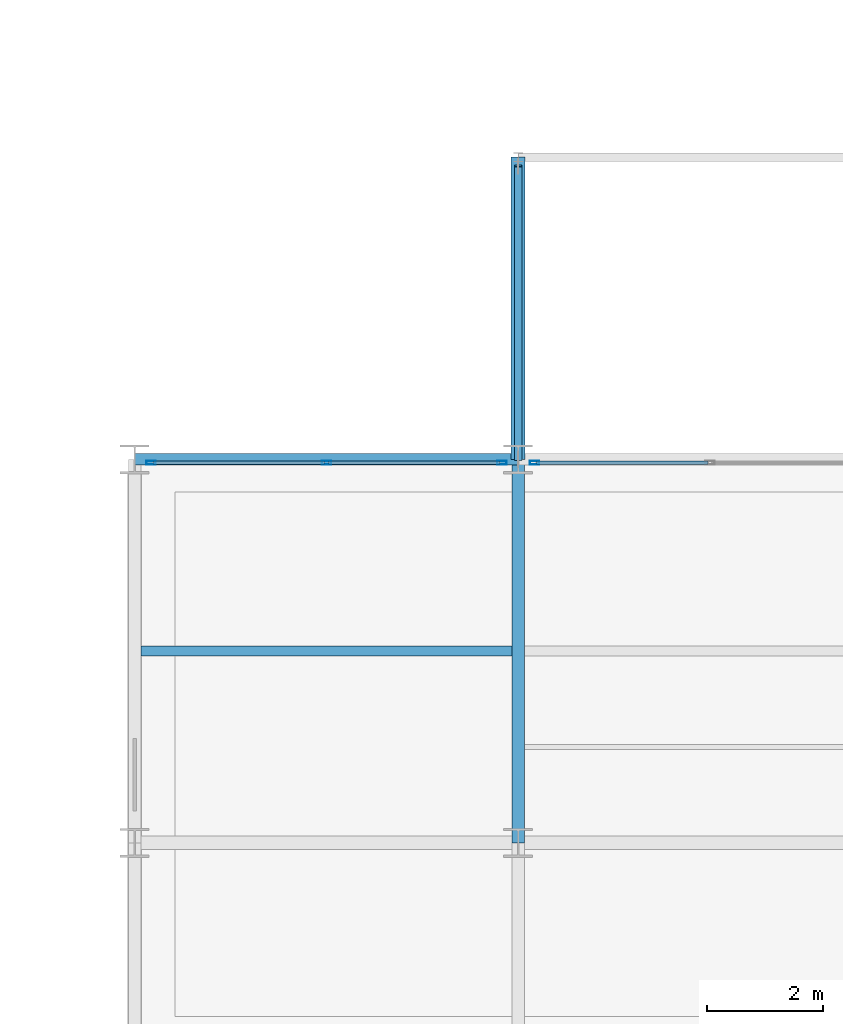
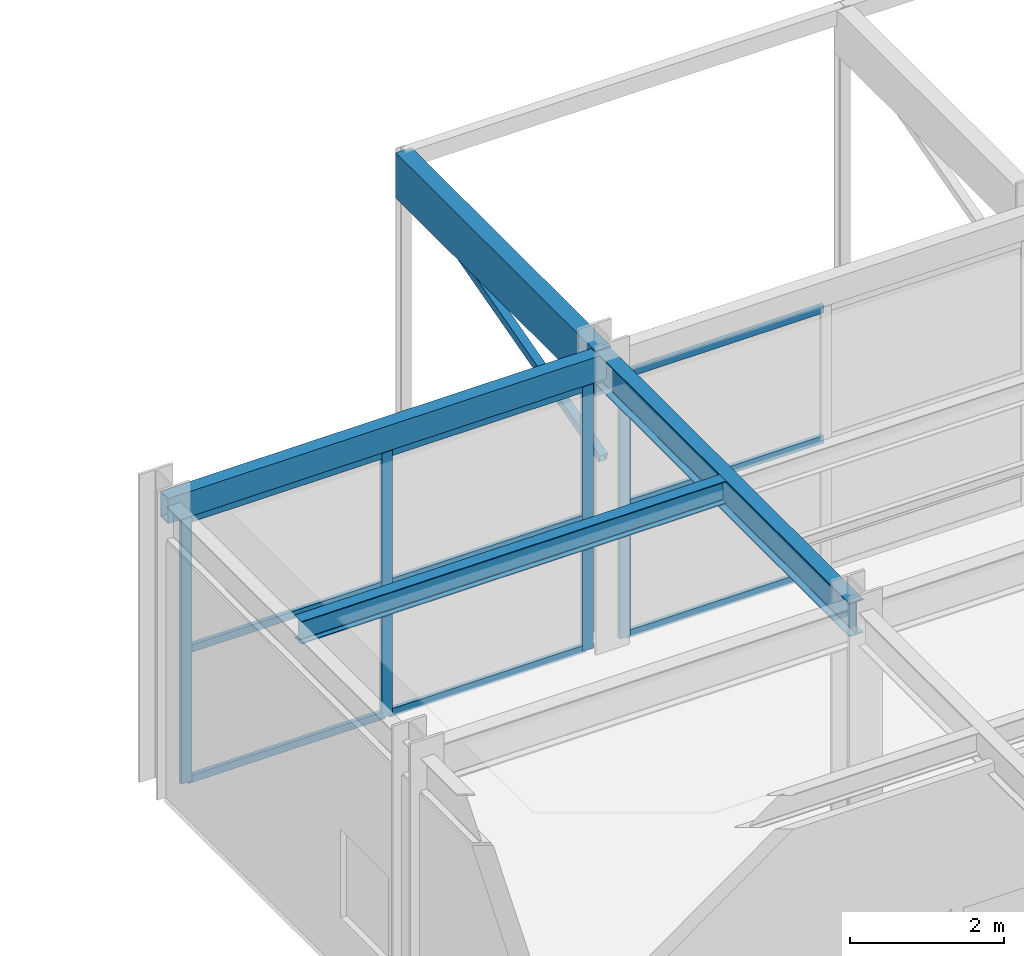
# One storey, part 57 of 144: 14 members, 4 beams, 2 elements without a shape of their own.
"""IFC4 building model written with IfcOpenShell, lengths in metres."""

from ifc_helpers import new_model, si_unit, direction, frame, origin, origin_2d, place, context, subcontext, project, spatial, rectangle, hollow_rectangle, i_section, extrude, material, material_profile, profile_set, type_object, element, aggregate, save


model = new_model("IFC4")

# Units and contexts
model_context = context("Model", 3, precision=1e-05, world=origin(), true_north=direction((0.0, 1.0)))
body_context = subcontext(model_context, "Body", "Model", "MODEL_VIEW")
ifc_project = project(units=[si_unit("LENGTHUNIT", "METRE"), si_unit("AREAUNIT", "SQUARE_METRE"), si_unit("VOLUMEUNIT", "CUBIC_METRE"), si_unit("PLANEANGLEUNIT", "RADIAN"), si_unit("MASSUNIT", "GRAM", prefix="KILO")], contexts=[model_context])

# Site, building, storey
site_placement = place(None, origin())
site = spatial("IfcSite", under=ifc_project, at=site_placement, CompositionType="ELEMENT")
building_placement = place(site_placement, origin())
building = spatial("IfcBuilding", under=site, at=building_placement, Name="Karori Crest Natural Sciences Institute", CompositionType="ELEMENT")
storey_placement = place(building_placement, origin())
storey = spatial("IfcBuildingStorey", under=building, at=storey_placement, Name="L00", CompositionType="ELEMENT", Elevation=0.0)

# Beams
ifc_material_1 = material(Name="Structural steel AS/NZS 3679.1 Grade 350", Category="steel")
ifc_material_profile_1 = material_profile(ifc_material_1, i_section(OverallWidth=0.208984375, OverallDepth=0.532958984375, WebThickness=0.01025390625, FlangeThickness=0.015625, FilletRadius=0.013916015625, at=origin_2d()), Name="530UB92.4")
ifc_profile_set_1 = profile_set([ifc_material_profile_1], Name="Structural steel AS/NZS 3679.1 Grade 350")
beam_type_1 = type_object("IfcBeamType", Name="BT-05", PredefinedType="BEAM", material=ifc_profile_set_1)
beam_1_placement = place(storey_placement, frame((110.199951171875, 14.0, 4.353515625), z_axis=(0.0, 1.0, 0.0), x_axis=(-1.0, 0.0, 0.0)))
element("IfcBeam", 1, at=beam_1_placement, inside=storey, type_object=beam_type_1, Name="Beam B-2060", PredefinedType="BEAM", context=body_context, shape_type="SweptSolid", body=[
    extrude(i_section(OverallWidth=0.208984375, OverallDepth=0.532958984375, WebThickness=0.01025390625, FlangeThickness=0.015625, FilletRadius=0.013916015625, at=origin_2d()), origin(), (0.0, 0.0, 1.0), 6.60009765625),
])
ifc_material_profile_2 = material_profile(ifc_material_1, i_section(OverallWidth=0.172119140625, OverallDepth=0.35888671875, WebThickness=0.008056640625, FlangeThickness=0.012939453125, FilletRadius=0.010986328125, at=origin_2d()), Name="360UB56.7")
ifc_profile_set_2 = profile_set([ifc_material_profile_2], Name="Structural steel AS/NZS 3679.1 Grade 350")
beam_type_2 = type_object("IfcBeamType", Name="BT-08", PredefinedType="BEAM", material=ifc_profile_set_2)
beam_2_placement = place(storey_placement, frame((103.70458984375, 17.300048828125, 4.4404296875), z_axis=(1.0, 0.0, 0.0), x_axis=(0.0, 1.0, 0.0)))
element("IfcBeam", 2, at=beam_2_placement, inside=storey, type_object=beam_type_2, Name="Beam B-2086", PredefinedType="BEAM", context=body_context, shape_type="SweptSolid", body=[
    extrude(i_section(OverallWidth=0.172119140625, OverallDepth=0.35888671875, WebThickness=0.008056640625, FlangeThickness=0.012939453125, FilletRadius=0.010986328125, at=origin_2d()), origin(), (0.0, 0.0, 1.0), 6.390869140625),
])
ifc_material_2 = material(Name="Hollow structural steel AS/NZS 1163 Grade C350", Category="steel")
ifc_material_profile_3 = material_profile(ifc_material_2, hollow_rectangle(XDim=0.199951171875, YDim=0.39990234375, WallThickness=0.012451171875, at=origin_2d()), Name="RHS400x200x12.5")
ifc_profile_set_3 = profile_set([ifc_material_profile_3], Name="Hollow structural steel AS/NZS 1163 Grade C350")
beam_type_3 = type_object("IfcBeamType", Name="BT-14", PredefinedType="SPANDREL", material=ifc_profile_set_3)
beam_3_placement = place(storey_placement, frame((103.60009765625, 20.60009765625, 4.419921875), z_axis=(1.0, 0.0, 0.0), x_axis=(0.0, 1.0, 0.0)))
element("IfcBeam", 3, at=beam_3_placement, inside=storey, type_object=beam_type_3, Name="Beam B-2046", PredefinedType="SPANDREL", context=body_context, shape_type="SweptSolid", body=[
    extrude(hollow_rectangle(XDim=0.199951171875, YDim=0.39990234375, WallThickness=0.012451171875, at=origin_2d()), origin(), (0.0, 0.0, 1.0), 6.599853515625),
])
ifc_material_3 = material(Name="Glulam GL12", Category="wood")
ifc_material_profile_4 = material_profile(ifc_material_3, rectangle(XDim=0.239990234375, YDim=0.719970703125, at=origin_2d()), Name="GL240x720")
ifc_profile_set_4 = profile_set([ifc_material_profile_4], Name="Glulam GL12")
beam_type_4 = type_object("IfcBeamType", Name="BT-26", PredefinedType="BEAM", material=ifc_profile_set_4)
beam_4_placement = place(storey_placement, frame((110.199951171875, 20.60009765625, 4.280029296875), z_axis=(0.0, 1.0, 0.0), x_axis=(-1.0, 0.0, 0.0)))
element("IfcBeam", 4, at=beam_4_placement, inside=storey, type_object=beam_type_4, Name="Beam B-2876", PredefinedType="BEAM", context=body_context, shape_type="SweptSolid", body=[
    extrude(rectangle(XDim=0.239990234375, YDim=0.719970703125, at=origin_2d()), origin(), (0.0, 0.0, 1.0), 5.199951171875),
])

# Curtain wall, members
ifc_material_4 = material(Name="Anodised architectural aluminium 6063-T6", Category="aluminium")
curtain_wall_type = type_object("IfcCurtainWallType", Name="CWT-20", PredefinedType="NOTDEFINED", material=ifc_material_4)
curtain_wall_1_placement = place(storey_placement, origin())
curtain_wall_1 = element("IfcCurtainWall", 5, at=curtain_wall_1_placement, inside=storey, type_object=curtain_wall_type, Name="Curtain wall CW-0296", PredefinedType="NOTDEFINED")
ifc_material_profile_5 = material_profile(ifc_material_4, hollow_rectangle(XDim=0.06494140625, YDim=0.159912109375, WallThickness=0.00390625, at=origin_2d()), Name="CWM160x65x4")
ifc_profile_set_5 = profile_set([ifc_material_profile_5], Name="Anodised architectural aluminium 6063-T6")
member_type_1 = type_object("IfcMemberType", Name="CWM-01", PredefinedType="MULLION", material=ifc_profile_set_5)
member_1_placement = place(storey_placement, frame((103.880615234375, 20.5400390625, 0.0), z_axis=(0.0, 0.0, 1.0), x_axis=(0.0, 1.0, 0.0)))
member_1 = element("IfcMember", 6, at=member_1_placement, type_object=member_type_1, Name="CW-0296 mullion 1", PredefinedType="MULLION", context=body_context, shape_type="SweptSolid", body=[
    extrude(hollow_rectangle(XDim=0.06494140625, YDim=0.159912109375, WallThickness=0.00390625, at=origin_2d()), origin(), (0.0, 0.0, 1.0), 4.205078125),
])
member_2_placement = place(storey_placement, frame((106.89990234375, 20.5400390625, 0.0), z_axis=(0.0, 0.0, 1.0), x_axis=(0.0, 1.0, 0.0)))
member_2 = element("IfcMember", 7, at=member_2_placement, type_object=member_type_1, Name="CW-0296 mullion 2", PredefinedType="MULLION", context=body_context, shape_type="SweptSolid", body=[
    extrude(hollow_rectangle(XDim=0.06494140625, YDim=0.159912109375, WallThickness=0.00390625, at=origin_2d()), origin(), (0.0, 0.0, 1.0), 4.205078125),
])
member_3_placement = place(storey_placement, frame((109.91943359375, 20.5400390625, 0.0), z_axis=(0.0, 0.0, 1.0), x_axis=(0.0, 1.0, 0.0)))
member_3 = element("IfcMember", 8, at=member_3_placement, type_object=member_type_1, Name="CW-0296 mullion 3", PredefinedType="MULLION", context=body_context, shape_type="SweptSolid", body=[
    extrude(hollow_rectangle(XDim=0.06494140625, YDim=0.159912109375, WallThickness=0.00390625, at=origin_2d()), origin(), (0.0, 0.0, 1.0), 4.205078125),
])

# Curtain wall, member
curtain_wall_2_placement = place(storey_placement, origin())
curtain_wall_2 = element("IfcCurtainWall", 9, at=curtain_wall_2_placement, inside=storey, type_object=curtain_wall_type, Name="Curtain wall CW-0297", PredefinedType="NOTDEFINED")
member_4_placement = place(storey_placement, frame((110.48046875, 20.5400390625, 0.0), z_axis=(0.0, 0.0, 1.0), x_axis=(0.0, 1.0, 0.0)))
member_4 = element("IfcMember", 10, at=member_4_placement, type_object=member_type_1, Name="CW-0297 mullion 1", PredefinedType="MULLION", context=body_context, shape_type="SweptSolid", body=[
    extrude(hollow_rectangle(XDim=0.06494140625, YDim=0.159912109375, WallThickness=0.00390625, at=origin_2d()), origin(), (0.0, 0.0, 1.0), 4.205078125),
])

# Member
ifc_material_profile_6 = material_profile(ifc_material_4, hollow_rectangle(XDim=0.06005859375, YDim=0.1201171875, WallThickness=0.00390625, at=origin_2d()), Name="CWT120x60x4")
ifc_profile_set_6 = profile_set([ifc_material_profile_6], Name="Anodised architectural aluminium 6063-T6")
member_type_2 = type_object("IfcMemberType", Name="CWT-TR1", PredefinedType="USERDEFINED", material=ifc_profile_set_6)
member_5_placement = place(storey_placement, frame((103.9130859375, 20.5400390625, 0.030029296875), z_axis=(1.0, 0.0, 0.0), x_axis=(0.0, 1.0, 0.0)))
member_5 = element("IfcMember", 11, at=member_5_placement, type_object=member_type_2, Name="CW-0296 transom 1.1", ObjectType="TRANSOM", PredefinedType="USERDEFINED", context=body_context, shape_type="SweptSolid", body=[
    extrude(hollow_rectangle(XDim=0.06005859375, YDim=0.1201171875, WallThickness=0.00390625, at=origin_2d()), origin(), (0.0, 0.0, 1.0), 2.954345703125),
])

member_6_placement = place(storey_placement, frame((103.9130859375, 20.5400390625, 2.1025390625), z_axis=(1.0, 0.0, 0.0), x_axis=(0.0, 1.0, 0.0)))
member_6 = element("IfcMember", 12, at=member_6_placement, type_object=member_type_2, Name="CW-0296 transom 1.2", ObjectType="TRANSOM", PredefinedType="USERDEFINED", context=body_context, shape_type="SweptSolid", body=[
    extrude(hollow_rectangle(XDim=0.06005859375, YDim=0.1201171875, WallThickness=0.00390625, at=origin_2d()), origin(), (0.0, 0.0, 1.0), 2.954345703125),
])

member_7_placement = place(storey_placement, frame((103.9130859375, 20.5400390625, 4.175048828125), z_axis=(1.0, 0.0, 0.0), x_axis=(0.0, 1.0, 0.0)))
member_7 = element("IfcMember", 13, at=member_7_placement, type_object=member_type_2, Name="CW-0296 transom 1.3", ObjectType="TRANSOM", PredefinedType="USERDEFINED", context=body_context, shape_type="SweptSolid", body=[
    extrude(hollow_rectangle(XDim=0.06005859375, YDim=0.1201171875, WallThickness=0.00390625, at=origin_2d()), origin(), (0.0, 0.0, 1.0), 2.954345703125),
])

member_8_placement = place(storey_placement, frame((106.9326171875, 20.5400390625, 0.030029296875), z_axis=(1.0, 0.0, 0.0), x_axis=(0.0, 1.0, 0.0)))
member_8 = element("IfcMember", 14, at=member_8_placement, type_object=member_type_2, Name="CW-0296 transom 2.1", ObjectType="TRANSOM", PredefinedType="USERDEFINED", context=body_context, shape_type="SweptSolid", body=[
    extrude(hollow_rectangle(XDim=0.06005859375, YDim=0.1201171875, WallThickness=0.00390625, at=origin_2d()), origin(), (0.0, 0.0, 1.0), 2.954345703125),
])

member_9_placement = place(storey_placement, frame((106.9326171875, 20.5400390625, 2.1025390625), z_axis=(1.0, 0.0, 0.0), x_axis=(0.0, 1.0, 0.0)))
member_9 = element("IfcMember", 15, at=member_9_placement, type_object=member_type_2, Name="CW-0296 transom 2.2", ObjectType="TRANSOM", PredefinedType="USERDEFINED", context=body_context, shape_type="SweptSolid", body=[
    extrude(hollow_rectangle(XDim=0.06005859375, YDim=0.1201171875, WallThickness=0.00390625, at=origin_2d()), origin(), (0.0, 0.0, 1.0), 2.954345703125),
])

member_10_placement = place(storey_placement, frame((106.9326171875, 20.5400390625, 4.175048828125), z_axis=(1.0, 0.0, 0.0), x_axis=(0.0, 1.0, 0.0)))
member_10 = element("IfcMember", 16, at=member_10_placement, type_object=member_type_2, Name="CW-0296 transom 2.3", ObjectType="TRANSOM", PredefinedType="USERDEFINED", context=body_context, shape_type="SweptSolid", body=[
    extrude(hollow_rectangle(XDim=0.06005859375, YDim=0.1201171875, WallThickness=0.00390625, at=origin_2d()), origin(), (0.0, 0.0, 1.0), 2.954345703125),
])

aggregate(curtain_wall_1, [member_1, member_2, member_3, member_5, member_6, member_7, member_8, member_9, member_10])

member_11_placement = place(storey_placement, frame((110.512939453125, 20.5400390625, 0.030029296875), z_axis=(1.0, 0.0, 0.0), x_axis=(0.0, 1.0, 0.0)))
member_11 = element("IfcMember", 17, at=member_11_placement, type_object=member_type_2, Name="CW-0297 transom 1.1", ObjectType="TRANSOM", PredefinedType="USERDEFINED", context=body_context, shape_type="SweptSolid", body=[
    extrude(hollow_rectangle(XDim=0.06005859375, YDim=0.1201171875, WallThickness=0.00390625, at=origin_2d()), origin(), (0.0, 0.0, 1.0), 2.95458984375),
])

member_12_placement = place(storey_placement, frame((110.512939453125, 20.5400390625, 2.1025390625), z_axis=(1.0, 0.0, 0.0), x_axis=(0.0, 1.0, 0.0)))
member_12 = element("IfcMember", 18, at=member_12_placement, type_object=member_type_2, Name="CW-0297 transom 1.2", ObjectType="TRANSOM", PredefinedType="USERDEFINED", context=body_context, shape_type="SweptSolid", body=[
    extrude(hollow_rectangle(XDim=0.06005859375, YDim=0.1201171875, WallThickness=0.00390625, at=origin_2d()), origin(), (0.0, 0.0, 1.0), 2.95458984375),
])

member_13_placement = place(storey_placement, frame((110.512939453125, 20.5400390625, 4.175048828125), z_axis=(1.0, 0.0, 0.0), x_axis=(0.0, 1.0, 0.0)))
member_13 = element("IfcMember", 19, at=member_13_placement, type_object=member_type_2, Name="CW-0297 transom 1.3", ObjectType="TRANSOM", PredefinedType="USERDEFINED", context=body_context, shape_type="SweptSolid", body=[
    extrude(hollow_rectangle(XDim=0.06005859375, YDim=0.1201171875, WallThickness=0.00390625, at=origin_2d()), origin(), (0.0, 0.0, 1.0), 2.95458984375),
])

aggregate(curtain_wall_2, [member_4, member_11, member_12, member_13])

ifc_material_profile_7 = material_profile(ifc_material_2, hollow_rectangle(XDim=0.125, YDim=0.125, WallThickness=0.006103515625, at=origin_2d()), Name="SHS125x125x6")
ifc_profile_set_7 = profile_set([ifc_material_profile_7], Name="Hollow structural steel AS/NZS 1163 Grade C350")
member_type_3 = type_object("IfcMemberType", Name="MT-20", PredefinedType="STRUT", material=ifc_profile_set_7)
member_14_placement = place(storey_placement, frame((110.199951171875, 20.60009765625, 2.89990234375), z_axis=(0.0, 0.96462269799, 0.263634312113), x_axis=(-1.0, 0.0, 0.0)))
element("IfcMember", 20, at=member_14_placement, inside=storey, type_object=member_type_3, Name="Member M-0497", PredefinedType="STRUT", context=body_context, shape_type="SweptSolid", body=[
    extrude(hollow_rectangle(XDim=0.125, YDim=0.125, WallThickness=0.006103515625, at=origin_2d()), origin(), (0.0, 0.0, 1.0), 5.235107421875),
])

save(model, "model.ifc")
